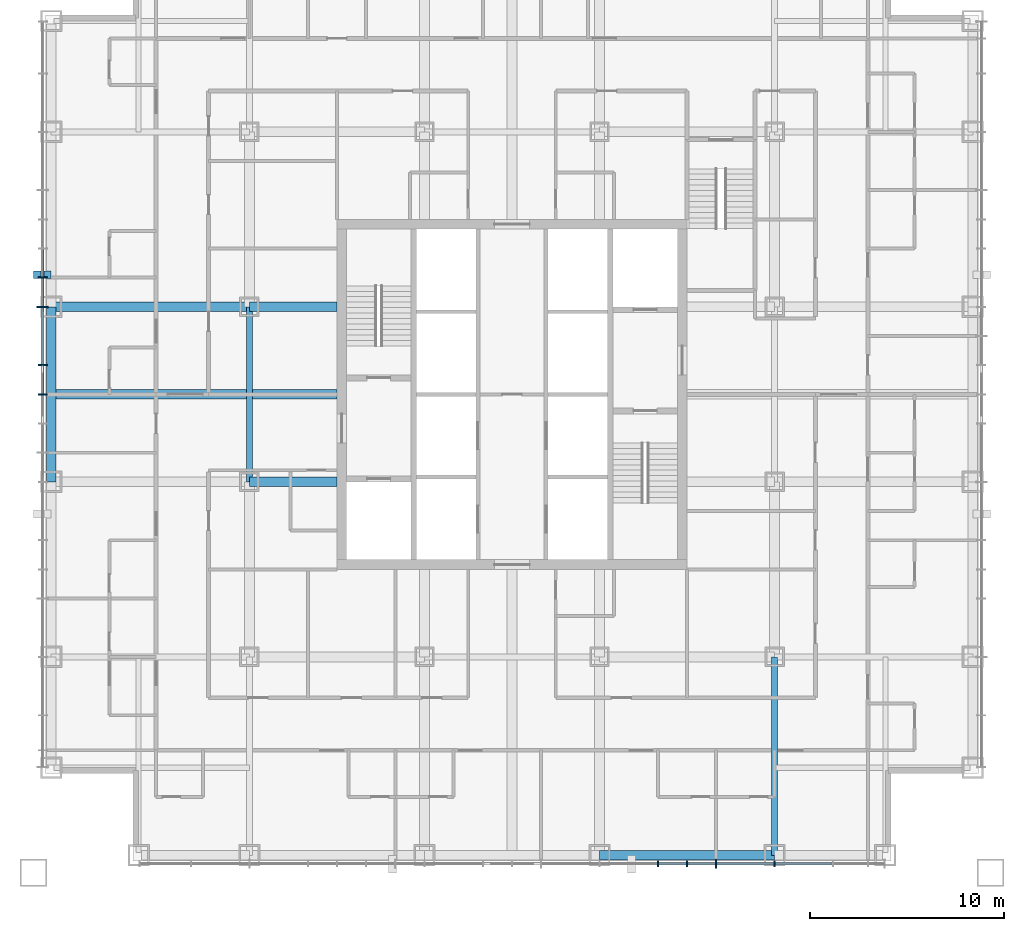
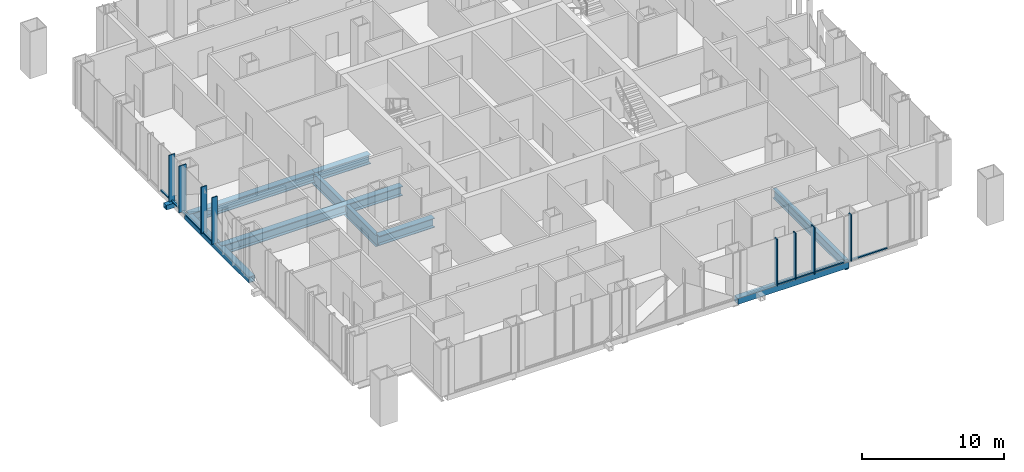
# One storey, part 3 of 16: 17 members, 8 beams, 2 elements without a shape of their own.
"""IFC4 building model written with IfcOpenShell, lengths in metres."""

from ifc_helpers import new_model, si_unit, direction, frame, origin, origin_2d, place, context, subcontext, project, spatial, rectangle, hollow_rectangle, i_section, extrude, material, layer, layer_set, material_profile, profile_set, type_object, element, aggregate, save


model = new_model("IFC4")

# Units and contexts
model_context = context("Model", 3, precision=1e-05, world=origin(), true_north=direction((0.0, 1.0)))
body_context = subcontext(model_context, "Body", "Model", "MODEL_VIEW")
ifc_project = project(units=[si_unit("LENGTHUNIT", "METRE"), si_unit("AREAUNIT", "SQUARE_METRE"), si_unit("VOLUMEUNIT", "CUBIC_METRE"), si_unit("PLANEANGLEUNIT", "RADIAN"), si_unit("MASSUNIT", "GRAM", prefix="KILO")], contexts=[model_context])

# Site, building, storey
site_placement = place(None, origin())
site = spatial("IfcSite", under=ifc_project, at=site_placement, CompositionType="ELEMENT")
building_placement = place(site_placement, origin())
building = spatial("IfcBuilding", under=site, at=building_placement, Name="Malebo Sky Hospital", CompositionType="ELEMENT")
storey_placement = place(building_placement, frame((0.0, 0.0, 152.0)))
storey = spatial("IfcBuildingStorey", under=building, at=storey_placement, Name="L36", CompositionType="ELEMENT", Elevation=152.0)

# Curtain wall, members
ifc_material_1 = material(Name="Anodised aluminium, natural silver", Category="aluminium")
ifc_layer_1 = layer(ifc_material_1, 0.25)
ifc_layer_set_1 = layer_set([ifc_layer_1], Name="WARD CURTAIN WALL EAST AND WEST")
curtain_wall_type_1 = type_object("IfcCurtainWallType", Name="WARD CURTAIN WALL EAST AND WEST", PredefinedType="NOTDEFINED", material=ifc_layer_set_1)
curtain_wall_1_placement = place(storey_placement, origin())
curtain_wall_1 = element("IfcCurtainWall", 1, at=curtain_wall_1_placement, inside=storey, type_object=curtain_wall_type_1, Name="EW curtain wall W", PredefinedType="NOTDEFINED")
ifc_material_profile_1 = material_profile(ifc_material_1, rectangle(XDim=0.14990234375, YDim=0.10009765625, at=origin_2d()), Name="ALUMINIUM TRANSOM 150x100")
ifc_profile_set_1 = profile_set([ifc_material_profile_1], Name="Anodised aluminium, natural silver")
member_type_1 = type_object("IfcMemberType", Name="ALUMINIUM TRANSOM 150x100", PredefinedType="USERDEFINED", material=ifc_profile_set_1)
member_1_placement = place(storey_placement, frame((35.864990234375, 62.03759765625, 0.050048828125), z_axis=(0.0, 1.0, 0.0), x_axis=(-1.0, 0.0, 0.0)))
member_1 = element("IfcMember", 2, at=member_1_placement, type_object=member_type_1, Name="Transom 11", ObjectType="TRANSOM", PredefinedType="USERDEFINED", context=body_context, shape_type="SweptSolid", body=[
    extrude(rectangle(XDim=0.14990234375, YDim=0.10009765625, at=origin_2d()), origin(), (0.0, 0.0, 1.0), 1.4248046875),
])
member_2_placement = place(storey_placement, frame((35.864990234375, 63.53759765625, 0.050048828125), z_axis=(0.0, 1.0, 0.0), x_axis=(-1.0, 0.0, 0.0)))
member_2 = element("IfcMember", 3, at=member_2_placement, type_object=member_type_1, Name="Transom 12", ObjectType="TRANSOM", PredefinedType="USERDEFINED", context=body_context, shape_type="SweptSolid", body=[
    extrude(rectangle(XDim=0.14990234375, YDim=0.10009765625, at=origin_2d()), origin(), (0.0, 0.0, 1.0), 2.9248046875),
])
member_3_placement = place(storey_placement, frame((35.864990234375, 66.53759765625, 0.050048828125), z_axis=(0.0, 1.0, 0.0), x_axis=(-1.0, 0.0, 0.0)))
member_3 = element("IfcMember", 4, at=member_3_placement, type_object=member_type_1, Name="Transom 13", ObjectType="TRANSOM", PredefinedType="USERDEFINED", context=body_context, shape_type="SweptSolid", body=[
    extrude(rectangle(XDim=0.14990234375, YDim=0.10009765625, at=origin_2d()), origin(), (0.0, 0.0, 1.0), 1.4248046875),
])
member_4_placement = place(storey_placement, frame((35.864990234375, 68.03759765625, 0.050048828125), z_axis=(0.0, 1.0, 0.0), x_axis=(-1.0, 0.0, 0.0)))
member_4 = element("IfcMember", 5, at=member_4_placement, type_object=member_type_1, Name="Transom 14", ObjectType="TRANSOM", PredefinedType="USERDEFINED", context=body_context, shape_type="SweptSolid", body=[
    extrude(rectangle(XDim=0.14990234375, YDim=0.10009765625, at=origin_2d()), origin(), (0.0, 0.0, 1.0), 1.4248046875),
])

ifc_layer_2 = layer(ifc_material_1, 0.25)
ifc_layer_set_2 = layer_set([ifc_layer_2], Name="WARD CURTAIN WALL NORTH AND SOUTH")
curtain_wall_type_2 = type_object("IfcCurtainWallType", Name="WARD CURTAIN WALL NORTH AND SOUTH", PredefinedType="NOTDEFINED", material=ifc_layer_set_2)
curtain_wall_2_placement = place(storey_placement, origin())
curtain_wall_2 = element("IfcCurtainWall", 6, at=curtain_wall_2_placement, inside=storey, type_object=curtain_wall_type_2, Name="NS curtain wall S", PredefinedType="NOTDEFINED")
member_5_placement = place(storey_placement, frame((76.46240234375, 37.864990234375, 0.050048828125), z_axis=(-1.0, 0.0, 0.0), x_axis=(0.0, -1.0, 0.0)))
member_5 = element("IfcMember", 7, at=member_5_placement, type_object=member_type_1, Name="Transom 3", ObjectType="TRANSOM", PredefinedType="USERDEFINED", context=body_context, shape_type="SweptSolid", body=[
    extrude(rectangle(XDim=0.14990234375, YDim=0.10009765625, at=origin_2d()), origin(), (0.0, 0.0, 1.0), 2.9248046875),
])
member_6_placement = place(storey_placement, frame((73.46240234375, 37.864990234375, 0.050048828125), z_axis=(-1.0, 0.0, 0.0), x_axis=(0.0, -1.0, 0.0)))
member_6 = element("IfcMember", 8, at=member_6_placement, type_object=member_type_1, Name="Transom 4", ObjectType="TRANSOM", PredefinedType="USERDEFINED", context=body_context, shape_type="SweptSolid", body=[
    extrude(rectangle(XDim=0.14990234375, YDim=0.10009765625, at=origin_2d()), origin(), (0.0, 0.0, 1.0), 2.9248046875),
])
member_7_placement = place(storey_placement, frame((70.46240234375, 37.864990234375, 0.050048828125), z_axis=(-1.0, 0.0, 0.0), x_axis=(0.0, -1.0, 0.0)))
member_7 = element("IfcMember", 9, at=member_7_placement, type_object=member_type_1, Name="Transom 5", ObjectType="TRANSOM", PredefinedType="USERDEFINED", context=body_context, shape_type="SweptSolid", body=[
    extrude(rectangle(XDim=0.14990234375, YDim=0.10009765625, at=origin_2d()), origin(), (0.0, 0.0, 1.0), 1.4248046875),
])
member_8_placement = place(storey_placement, frame((68.96240234375, 37.864990234375, 0.050048828125), z_axis=(-1.0, 0.0, 0.0), x_axis=(0.0, -1.0, 0.0)))
member_8 = element("IfcMember", 10, at=member_8_placement, type_object=member_type_1, Name="Transom 6", ObjectType="TRANSOM", PredefinedType="USERDEFINED", context=body_context, shape_type="SweptSolid", body=[
    extrude(rectangle(XDim=0.14990234375, YDim=0.10009765625, at=origin_2d()), origin(), (0.0, 0.0, 1.0), 1.4248046875),
])

# Member
ifc_material_2 = material(Name="Steel S355", Category="steel")
ifc_material_profile_2 = material_profile(ifc_material_2, hollow_rectangle(XDim=0.39990234375, YDim=0.39990234375, WallThickness=0.02001953125, at=origin_2d()), Name="SHS 400x20")
ifc_profile_set_2 = profile_set([ifc_material_profile_2], Name="Steel S355")
member_type_2 = type_object("IfcMemberType", Name="BRACE STRUT SHS 400x20", PredefinedType="STRUT", material=ifc_profile_set_2)
member_9_placement = place(storey_placement, frame((35.39990234375, 68.14990234375, -0.39990234375), z_axis=(1.0, 0.0, 0.0), x_axis=(0.0, 1.0, 0.0)))
element("IfcMember", 11, at=member_9_placement, inside=storey, type_object=member_type_2, Name="Brace strut BW1 L36", PredefinedType="STRUT", context=body_context, shape_type="SweptSolid", body=[
    extrude(hollow_rectangle(XDim=0.39990234375, YDim=0.39990234375, WallThickness=0.02001953125, at=origin_2d()), origin(), (0.0, 0.0, 1.0), 0.900146484375),
])

ifc_material_profile_3 = material_profile(ifc_material_1, rectangle(XDim=0.074951171875, YDim=0.300048828125, at=origin_2d()), Name="CW1 ALUMINIUM FIN MULLION 75x300")
ifc_profile_set_3 = profile_set([ifc_material_profile_3], Name="Anodised aluminium, natural silver")
member_type_3 = type_object("IfcMemberType", Name="CW1 ALUMINIUM FIN MULLION 75x300", PredefinedType="MULLION", material=ifc_profile_set_3)
member_10_placement = place(storey_placement, frame((73.5, 37.864990234375, 0.0), z_axis=(0.0, 0.0, 1.0), x_axis=(-1.0, 0.0, 0.0)))
member_10 = element("IfcMember", 12, at=member_10_placement, type_object=member_type_3, Name="Fin mullion 4", PredefinedType="MULLION", context=body_context, shape_type="SweptSolid", body=[
    extrude(rectangle(XDim=0.074951171875, YDim=0.300048828125, at=origin_2d()), origin(), (0.0, 0.0, 1.0), 4.0),
])

member_11_placement = place(storey_placement, frame((69.0, 37.864990234375, 0.0), z_axis=(0.0, 0.0, 1.0), x_axis=(-1.0, 0.0, 0.0)))
member_11 = element("IfcMember", 13, at=member_11_placement, type_object=member_type_3, Name="Fin mullion 6", PredefinedType="MULLION", context=body_context, shape_type="SweptSolid", body=[
    extrude(rectangle(XDim=0.074951171875, YDim=0.300048828125, at=origin_2d()), origin(), (0.0, 0.0, 1.0), 4.0),
])

member_12_placement = place(storey_placement, frame((67.5, 37.864990234375, 0.0), z_axis=(0.0, 0.0, 1.0), x_axis=(-1.0, 0.0, 0.0)))
member_12 = element("IfcMember", 14, at=member_12_placement, type_object=member_type_3, Name="Fin mullion 7", PredefinedType="MULLION", context=body_context, shape_type="SweptSolid", body=[
    extrude(rectangle(XDim=0.074951171875, YDim=0.300048828125, at=origin_2d()), origin(), (0.0, 0.0, 1.0), 4.0),
])

ifc_material_profile_4 = material_profile(ifc_material_1, rectangle(XDim=0.074951171875, YDim=0.449951171875, at=origin_2d()), Name="CW1 ALUMINIUM FIN MULLION 75x450")
ifc_profile_set_4 = profile_set([ifc_material_profile_4], Name="Anodised aluminium, natural silver")
member_type_4 = type_object("IfcMemberType", Name="CW1 ALUMINIUM FIN MULLION 75x450", PredefinedType="MULLION", material=ifc_profile_set_4)
member_13_placement = place(storey_placement, frame((70.5, 37.864990234375, 0.0), z_axis=(0.0, 0.0, 1.0), x_axis=(-1.0, 0.0, 0.0)))
member_13 = element("IfcMember", 15, at=member_13_placement, type_object=member_type_4, Name="Fin mullion 5", PredefinedType="MULLION", context=body_context, shape_type="SweptSolid", body=[
    extrude(rectangle(XDim=0.074951171875, YDim=0.449951171875, at=origin_2d()), origin(), (0.0, 0.0, 1.0), 4.0),
])

aggregate(curtain_wall_2, [member_10, member_13, member_11, member_12, member_5, member_6, member_7, member_8])

ifc_material_profile_5 = material_profile(ifc_material_1, rectangle(XDim=0.074951171875, YDim=0.449951171875, at=origin_2d()), Name="CW2 ALUMINIUM FIN MULLION 75x450")
ifc_profile_set_5 = profile_set([ifc_material_profile_5], Name="Anodised aluminium, natural silver")
member_type_5 = type_object("IfcMemberType", Name="CW2 ALUMINIUM FIN MULLION 75x450", PredefinedType="MULLION", material=ifc_profile_set_5)
member_14_placement = place(storey_placement, frame((35.864990234375, 62.0, 0.0), z_axis=(0.0, 0.0, 1.0), x_axis=(0.0, 1.0, 0.0)))
member_14 = element("IfcMember", 16, at=member_14_placement, type_object=member_type_5, Name="Fin mullion 11", PredefinedType="MULLION", context=body_context, shape_type="SweptSolid", body=[
    extrude(rectangle(XDim=0.074951171875, YDim=0.449951171875, at=origin_2d()), origin(), (0.0, 0.0, 1.0), 4.0),
])

member_15_placement = place(storey_placement, frame((35.864990234375, 63.5, 0.0), z_axis=(0.0, 0.0, 1.0), x_axis=(0.0, 1.0, 0.0)))
member_15 = element("IfcMember", 17, at=member_15_placement, type_object=member_type_5, Name="Fin mullion 12", PredefinedType="MULLION", context=body_context, shape_type="SweptSolid", body=[
    extrude(rectangle(XDim=0.074951171875, YDim=0.449951171875, at=origin_2d()), origin(), (0.0, 0.0, 1.0), 4.0),
])

member_16_placement = place(storey_placement, frame((35.864990234375, 68.0, 0.0), z_axis=(0.0, 0.0, 1.0), x_axis=(0.0, 1.0, 0.0)))
member_16 = element("IfcMember", 18, at=member_16_placement, type_object=member_type_5, Name="Fin mullion 14", PredefinedType="MULLION", context=body_context, shape_type="SweptSolid", body=[
    extrude(rectangle(XDim=0.074951171875, YDim=0.449951171875, at=origin_2d()), origin(), (0.0, 0.0, 1.0), 4.0),
])

ifc_material_profile_6 = material_profile(ifc_material_1, rectangle(XDim=0.074951171875, YDim=0.60009765625, at=origin_2d()), Name="CW2 ALUMINIUM FIN MULLION 75x600")
ifc_profile_set_6 = profile_set([ifc_material_profile_6], Name="Anodised aluminium, natural silver")
member_type_6 = type_object("IfcMemberType", Name="CW2 ALUMINIUM FIN MULLION 75x600", PredefinedType="MULLION", material=ifc_profile_set_6)
member_17_placement = place(storey_placement, frame((35.864990234375, 66.5, 0.0), z_axis=(0.0, 0.0, 1.0), x_axis=(0.0, 1.0, 0.0)))
member_17 = element("IfcMember", 19, at=member_17_placement, type_object=member_type_6, Name="Fin mullion 13", PredefinedType="MULLION", context=body_context, shape_type="SweptSolid", body=[
    extrude(rectangle(XDim=0.074951171875, YDim=0.60009765625, at=origin_2d()), origin(), (0.0, 0.0, 1.0), 4.0),
])

aggregate(curtain_wall_1, [member_14, member_15, member_17, member_16, member_1, member_2, member_3, member_4])

# Beams
ifc_material_3 = material(Name="Steel S460", Category="steel")
ifc_material_profile_7 = material_profile(ifc_material_3, hollow_rectangle(XDim=0.5, YDim=0.5, WallThickness=0.030029296875, at=origin_2d()), Name="BOX 500x500x30")
ifc_profile_set_7 = profile_set([ifc_material_profile_7], Name="Steel S460")
beam_type_1 = type_object("IfcBeamType", Name="EDGE BEAM BOX 500x500x30", PredefinedType="BEAM", material=ifc_profile_set_7)
for number, where, z_axis, x_axis, name in (
    (20, (36.300048828125, 57.5, -0.5), (0.0, 1.0, 0.0), (-1.0, 0.0, 0.0), "Beam 002 L36"),
    (21, (64.5, 38.300048828125, -0.5), (1.0, 0.0, 0.0), (0.0, 1.0, 0.0), "Beam 037 L36"),
):
    element("IfcBeam", number, at=place(storey_placement, frame(where, z_axis=z_axis, x_axis=x_axis)), inside=storey, type_object=beam_type_1, Name=name, PredefinedType="BEAM", context=body_context, shape_type="SweptSolid", body=[
        extrude(hollow_rectangle(XDim=0.5, YDim=0.5, WallThickness=0.030029296875, at=origin_2d()), origin(), (0.0, 0.0, 1.0), 9.0),
    ])
ifc_material_profile_8 = material_profile(ifc_material_2, i_section(OverallWidth=0.5, OverallDepth=0.800048828125, WebThickness=0.030029296875, FlangeThickness=0.050048828125, at=origin_2d()), Name="PG 800x500x30x50")
ifc_profile_set_8 = profile_set([ifc_material_profile_8], Name="Steel S355")
beam_type_2 = type_object("IfcBeamType", Name="FLOOR BEAM PG 800x500x30x50", PredefinedType="BEAM", material=ifc_profile_set_8)
beam_1_placement = place(storey_placement, frame((46.5, 57.5, -0.64990234375), z_axis=(1.0, 0.0, 0.0), x_axis=(0.0, 1.0, 0.0)))
element("IfcBeam", 22, at=beam_1_placement, inside=storey, type_object=beam_type_2, Name="Beam 047 L36", PredefinedType="BEAM", context=body_context, shape_type="SweptSolid", body=[
    extrude(i_section(OverallWidth=0.5, OverallDepth=0.800048828125, WebThickness=0.030029296875, FlangeThickness=0.050048828125, at=origin_2d()), origin(), (0.0, 0.0, 1.0), 4.5),
])
beam_2_placement = place(storey_placement, frame((36.300048828125, 62.0, -0.64990234375), z_axis=(1.0, 0.0, 0.0), x_axis=(0.0, 1.0, 0.0)))
element("IfcBeam", 23, at=beam_2_placement, inside=storey, type_object=beam_type_2, Name="Beam 050 L36", PredefinedType="BEAM", context=body_context, shape_type="SweptSolid", body=[
    extrude(i_section(OverallWidth=0.5, OverallDepth=0.800048828125, WebThickness=0.030029296875, FlangeThickness=0.050048828125, at=origin_2d()), origin(), (0.0, 0.0, 1.0), 14.699951171875),
])
beam_3_placement = place(storey_placement, frame((36.300048828125, 66.5, -0.64990234375), z_axis=(1.0, 0.0, 0.0), x_axis=(0.0, 1.0, 0.0)))
element("IfcBeam", 24, at=beam_3_placement, inside=storey, type_object=beam_type_2, Name="Beam 052 L36", PredefinedType="BEAM", context=body_context, shape_type="SweptSolid", body=[
    extrude(i_section(OverallWidth=0.5, OverallDepth=0.800048828125, WebThickness=0.030029296875, FlangeThickness=0.050048828125, at=origin_2d()), origin(), (0.0, 0.0, 1.0), 10.199951171875),
])
beam_4_placement = place(storey_placement, frame((46.5, 66.5, -0.64990234375), z_axis=(1.0, 0.0, 0.0), x_axis=(0.0, 1.0, 0.0)))
element("IfcBeam", 25, at=beam_4_placement, inside=storey, type_object=beam_type_2, Name="Beam 053 L36", PredefinedType="BEAM", context=body_context, shape_type="SweptSolid", body=[
    extrude(i_section(OverallWidth=0.5, OverallDepth=0.800048828125, WebThickness=0.030029296875, FlangeThickness=0.050048828125, at=origin_2d()), origin(), (0.0, 0.0, 1.0), 4.5),
])
ifc_material_profile_9 = material_profile(ifc_material_2, i_section(OverallWidth=0.300048828125, OverallDepth=0.800048828125, WebThickness=0.017578125, FlangeThickness=0.032958984375, FilletRadius=0.030029296875, at=origin_2d()), Name="HEB 800")
ifc_profile_set_9 = profile_set([ifc_material_profile_9], Name="Steel S355")
beam_type_3 = type_object("IfcBeamType", Name="FLOOR GIRDER HEB 800", PredefinedType="BEAM", material=ifc_profile_set_9)
beam_5_placement = place(storey_placement, frame((73.5, 38.300048828125, -0.64990234375), z_axis=(0.0, 1.0, 0.0), x_axis=(-1.0, 0.0, 0.0)))
element("IfcBeam", 26, at=beam_5_placement, inside=storey, type_object=beam_type_3, Name="Beam 022 L36", PredefinedType="BEAM", context=body_context, shape_type="SweptSolid", body=[
    extrude(i_section(OverallWidth=0.300048828125, OverallDepth=0.800048828125, WebThickness=0.017578125, FlangeThickness=0.032958984375, FilletRadius=0.030029296875, at=origin_2d()), origin(), (0.0, 0.0, 1.0), 10.199951171875),
])
ifc_material_profile_10 = material_profile(ifc_material_2, i_section(OverallWidth=0.300048828125, OverallDepth=1.0, WebThickness=0.01904296875, FlangeThickness=0.035888671875, FilletRadius=0.030029296875, at=origin_2d()), Name="HEB 1000")
ifc_profile_set_10 = profile_set([ifc_material_profile_10], Name="Steel S355")
beam_type_4 = type_object("IfcBeamType", Name="RING GIRDER HEB 1000", PredefinedType="BEAM", material=ifc_profile_set_10)
beam_6_placement = place(storey_placement, frame((46.5, 57.5, -0.75), z_axis=(0.0, 1.0, 0.0), x_axis=(-1.0, 0.0, 0.0)))
element("IfcBeam", 27, at=beam_6_placement, inside=storey, type_object=beam_type_4, Name="Beam 009 L36", PredefinedType="BEAM", context=body_context, shape_type="SweptSolid", body=[
    extrude(i_section(OverallWidth=0.300048828125, OverallDepth=1.0, WebThickness=0.01904296875, FlangeThickness=0.035888671875, FilletRadius=0.030029296875, at=origin_2d()), origin(), (0.0, 0.0, 1.0), 9.0),
])

save(model, "model.ifc")
